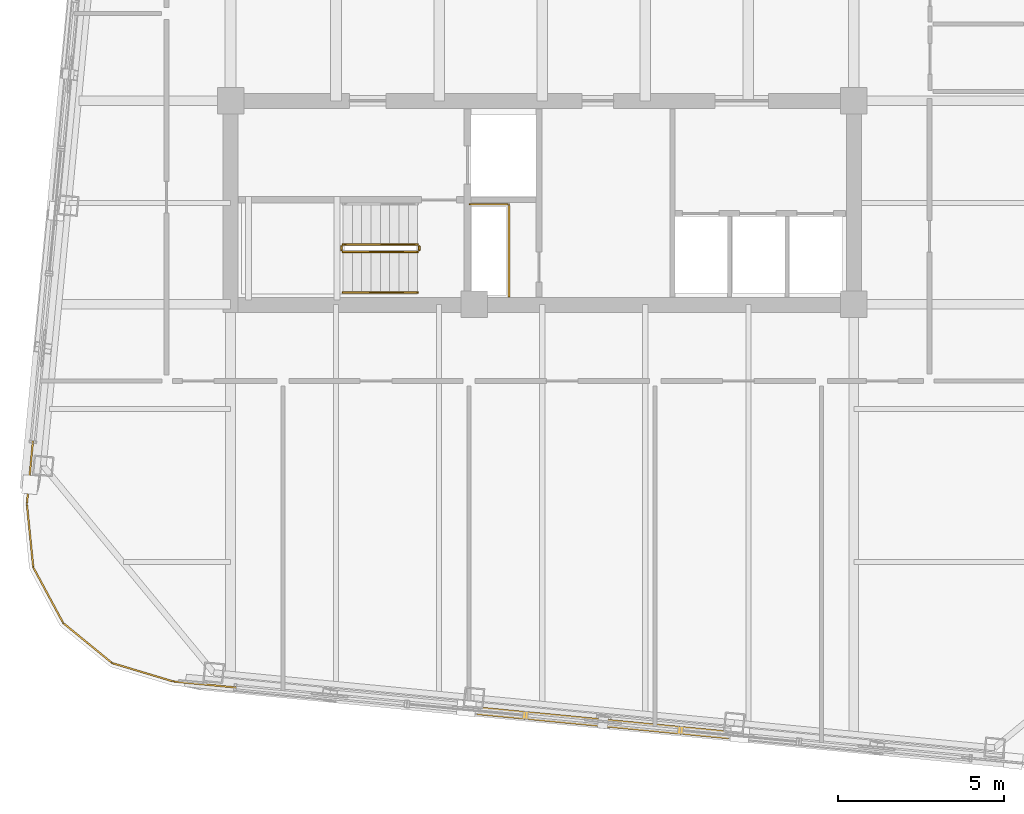
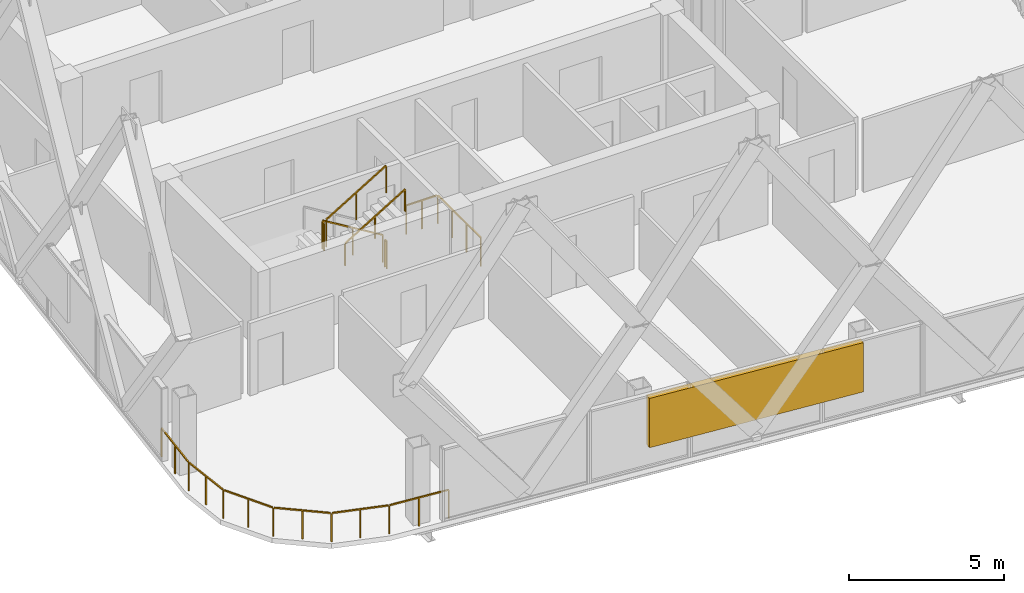
# One storey, part 22 of 25: 7 railings, 1 shading device.
"""IFC4 building model written with IfcOpenShell, lengths in metres."""

from ifc_helpers import new_model, si_unit, direction, frame, origin, origin_2d, place, context, subcontext, project, spatial, rectangle, extrude, material, type_object, element, save


model = new_model("IFC4")

# Units and contexts
model_context = context("Model", 3, precision=1e-05, world=origin(), true_north=direction((0.0, 1.0)))
body_context = subcontext(model_context, "Body", "Model", "MODEL_VIEW")
ifc_project = project(units=[si_unit("LENGTHUNIT", "METRE"), si_unit("AREAUNIT", "SQUARE_METRE"), si_unit("VOLUMEUNIT", "CUBIC_METRE"), si_unit("PLANEANGLEUNIT", "RADIAN"), si_unit("MASSUNIT", "GRAM", prefix="KILO")], contexts=[model_context])

# Site, building, storey
site_placement = place(None, origin())
site = spatial("IfcSite", under=ifc_project, at=site_placement, CompositionType="ELEMENT")
building_placement = place(site_placement, origin())
building = spatial("IfcBuilding", under=site, at=building_placement, Name="Qhalaya Broadcast Tower", CompositionType="ELEMENT")
storey_placement = place(building_placement, frame((0.0, 0.0, 255.050048828125)))
storey = spatial("IfcBuildingStorey", under=building, at=storey_placement, Name="L75", CompositionType="ELEMENT", Elevation=255.050048828125)

# Railings
ifc_material_1 = material(Name="Powder-Coated Galvanised Steel", Category="steel")
railing_type_1 = type_object("IfcRailingType", Name="Stair Wall Handrail 900", PredefinedType="HANDRAIL", material=ifc_material_1)
railing_1_placement = place(storey_placement, frame((-5.989990234375, -8.389892578125, 1.6943359375)))
element("IfcRailing", 1, at=railing_1_placement, inside=storey, type_object=railing_type_1, Name="L75 ST-2 Stair Handrail 2", PredefinedType="HANDRAIL", context=body_context, shape_type="SweptSolid", body=[
    extrude(rectangle(XDim=0.048095703125, YDim=0.048095703125, at=origin_2d()), frame((0.0, 0.0, 0.8759765625), z_axis=(0.855512035549, 0.0, 0.517782924622), x_axis=(0.0, 1.0, 0.0)), (0.0, 0.0, 1.0), 2.618408203125),
    extrude(rectangle(XDim=0.0419921875, YDim=0.0419921875, at=origin_2d()), origin(), (0.0, 0.0, 1.0), 0.849853515625),
    extrude(rectangle(XDim=0.0419921875, YDim=0.0419921875, at=origin_2d()), frame((1.1201171875, 0.0, 0.677734375)), (0.0, 0.0, 1.0), 0.849853515625),
    extrude(rectangle(XDim=0.0419921875, YDim=0.0419921875, at=origin_2d()), frame((2.239990234375, 0.0, 1.355712890625)), (0.0, 0.0, 1.0), 0.849853515625),
])
railing_type_2 = type_object("IfcRailingType", Name="Stair Well & Landing Guardrail 1100", PredefinedType="GUARDRAIL", material=ifc_material_1)
railing_2_placement = place(storey_placement, frame((-1.0, -8.52001953125, 0.0)))
element("IfcRailing", 2, at=railing_2_placement, inside=storey, type_object=railing_type_2, Name="L75 Service Riser Opening Safety Guard SRSR", PredefinedType="GUARDRAIL", context=body_context, shape_type="SweptSolid", body=[
    extrude(rectangle(XDim=0.048095703125, YDim=0.048095703125, at=origin_2d()), frame((0.0, 0.0, 1.1259765625), z_axis=(0.0, 1.0, 0.0), x_axis=(-1.0, 0.0, 0.0)), (0.0, 0.0, 1.0), 2.751220703125),
    extrude(rectangle(XDim=0.048095703125, YDim=0.048095703125, at=origin_2d()), frame((-0.02880859375, 2.780029296875, 1.1259765625), z_axis=(-1.0, 0.0, 0.0), x_axis=(0.0, -1.0, 0.0)), (0.0, 0.0, 1.0), 1.151123046875),
    extrude(rectangle(XDim=0.0419921875, YDim=0.0419921875, at=origin_2d()), origin(), (0.0, 0.0, 1.0), 1.099853515625),
    extrude(rectangle(XDim=0.0419921875, YDim=0.0419921875, at=origin_2d()), frame((0.0, 0.9267578125, 0.0)), (0.0, 0.0, 1.0), 1.099853515625),
    extrude(rectangle(XDim=0.0419921875, YDim=0.0419921875, at=origin_2d()), frame((0.0, 1.853271484375, 0.0)), (0.0, 0.0, 1.0), 1.099853515625),
    extrude(rectangle(XDim=0.0419921875, YDim=0.0419921875, at=origin_2d()), frame((0.0, 2.780029296875, 0.0)), (0.0, 0.0, 1.0), 1.099853515625),
    extrude(rectangle(XDim=0.0419921875, YDim=0.0419921875, at=origin_2d()), frame((-0.58984375, 2.780029296875, 0.0)), (0.0, 0.0, 1.0), 1.099853515625),
    extrude(rectangle(XDim=0.0419921875, YDim=0.0419921875, at=origin_2d()), frame((-1.179931640625, 2.780029296875, 0.0)), (0.0, 0.0, 1.0), 1.099853515625),
])
railing_3_placement = place(storey_placement, frame((-3.75, -6.949951171875, 0.16943359375)))
element("IfcRailing", 3, at=railing_3_placement, inside=storey, type_object=railing_type_2, Name="L75 ST-2 Stair Guard 1", PredefinedType="GUARDRAIL", context=body_context, shape_type="SweptSolid", body=[
    extrude(rectangle(XDim=0.048095703125, YDim=0.048095703125, at=origin_2d()), frame((0.0, 0.0, 1.076171875), z_axis=(-0.855553338991, 0.0, 0.51771467445), x_axis=(0.0, -1.0, 0.0)), (0.0, 0.0, 1.0), 2.6181640625),
    extrude(rectangle(XDim=0.0419921875, YDim=0.0419921875, at=origin_2d()), origin(), (0.0, 0.0, 1.0), 1.050048828125),
    extrude(rectangle(XDim=0.0419921875, YDim=0.0419921875, at=origin_2d()), frame((-1.1201171875, 0.0, 0.677734375)), (0.0, 0.0, 1.0), 1.050048828125),
    extrude(rectangle(XDim=0.0419921875, YDim=0.0419921875, at=origin_2d()), frame((-2.239990234375, 0.0, 1.35546875)), (0.0, 0.0, 1.0), 1.050048828125),
])
railing_4_placement = place(storey_placement, frame((-6.0400390625, -7.0, 1.52490234375)))
element("IfcRailing", 4, at=railing_4_placement, inside=storey, type_object=railing_type_2, Name="L75 ST-2 Stair Guard 2", PredefinedType="GUARDRAIL", context=body_context, shape_type="SweptSolid", body=[
    extrude(rectangle(XDim=0.048095703125, YDim=0.048095703125, at=origin_2d()), frame((0.0, 0.0, 1.076171875), z_axis=(0.0, -1.0, 0.0), x_axis=(1.0, 0.0, 0.0)), (0.0, 0.0, 1.0), 0.1201171875),
    extrude(rectangle(XDim=0.0419921875, YDim=0.0419921875, at=origin_2d()), origin(), (0.0, 0.0, 1.0), 1.050048828125),
    extrude(rectangle(XDim=0.0419921875, YDim=0.0419921875, at=origin_2d()), frame((0.0, -0.1201171875, 0.0)), (0.0, 0.0, 1.0), 1.050048828125),
])
railing_5_placement = place(storey_placement, frame((-5.989990234375, -7.169921875, 1.6943359375)))
element("IfcRailing", 5, at=railing_5_placement, inside=storey, type_object=railing_type_2, Name="L75 ST-2 Stair Guard 3", PredefinedType="GUARDRAIL", context=body_context, shape_type="SweptSolid", body=[
    extrude(rectangle(XDim=0.048095703125, YDim=0.048095703125, at=origin_2d()), frame((0.0, 0.0, 1.076171875), z_axis=(0.855512035549, 0.0, 0.517782924622), x_axis=(0.0, 1.0, 0.0)), (0.0, 0.0, 1.0), 2.618408203125),
    extrude(rectangle(XDim=0.0419921875, YDim=0.0419921875, at=origin_2d()), origin(), (0.0, 0.0, 1.0), 1.050048828125),
    extrude(rectangle(XDim=0.0419921875, YDim=0.0419921875, at=origin_2d()), frame((1.1201171875, 0.0, 0.677734375)), (0.0, 0.0, 1.0), 1.050048828125),
    extrude(rectangle(XDim=0.0419921875, YDim=0.0419921875, at=origin_2d()), frame((2.239990234375, 0.0, 1.355712890625)), (0.0, 0.0, 1.0), 1.050048828125),
])
railing_6_placement = place(storey_placement, frame((-3.699951171875, -7.0, 0.0)))
element("IfcRailing", 6, at=railing_6_placement, inside=storey, type_object=railing_type_2, Name="L75 ST-2 Stair Guard 4", PredefinedType="GUARDRAIL", context=body_context, shape_type="SweptSolid", body=[
    extrude(rectangle(XDim=0.048095703125, YDim=0.048095703125, at=origin_2d()), frame((0.0, 0.0, 1.076171875), z_axis=(0.0, -1.0, 0.0), x_axis=(1.0, 0.0, 0.0)), (0.0, 0.0, 1.0), 0.1201171875),
    extrude(rectangle(XDim=0.0419921875, YDim=0.0419921875, at=origin_2d()), origin(), (0.0, 0.0, 1.0), 1.050048828125),
    extrude(rectangle(XDim=0.0419921875, YDim=0.0419921875, at=origin_2d()), frame((0.0, -0.1201171875, 0.0)), (0.0, 0.0, 1.0), 1.050048828125),
])
railing_type_3 = type_object("IfcRailingType", Name="Terrace, Sky-Pool & Lookout Glass Balustrade 1150", PredefinedType="BALUSTRADE", material=ifc_material_1)
railing_7_placement = place(storey_placement, frame((-8.99365234375, -20.2958984375, 0.0)))
element("IfcRailing", 7, at=railing_7_placement, inside=storey, type_object=railing_type_3, Name="L75 Rounded Corner Perimeter Guard 02", PredefinedType="BALUSTRADE", context=body_context, shape_type="SweptSolid", body=[
    extrude(rectangle(XDim=0.048095703125, YDim=0.048095703125, at=origin_2d()), frame((0.0, 0.0, 1.1259765625), z_axis=(-0.995391273094, 0.095896889673, 0.0), x_axis=(-0.095896889673, -0.995391273094, 0.0)), (0.0, 0.0, 1.0), 2.08935546875),
    extrude(rectangle(XDim=0.048095703125, YDim=0.048095703125, at=origin_2d()), frame((-2.135986328125, 0.21142578125, 1.1259765625), z_axis=(-0.957601447485, 0.288096282124, 0.0), x_axis=(-0.288096282124, -0.957601447485, 0.0)), (0.0, 0.0, 1.0), 1.857421875),
    extrude(rectangle(XDim=0.048095703125, YDim=0.048095703125, at=origin_2d()), frame((-3.96484375, 0.773193359375, 1.1259765625), z_axis=(-0.774357190213, 0.63274871945, 0.0), x_axis=(-0.63274871945, -0.774357190213, 0.0)), (0.0, 0.0, 1.0), 1.845703125),
    extrude(rectangle(XDim=0.048095703125, YDim=0.048095703125, at=origin_2d()), frame((-5.429931640625, 1.984619140625, 1.1259765625), z_axis=(-0.473342342286, 0.880878554058, 0.0), x_axis=(-0.880878554058, -0.473342342286, 0.0)), (0.0, 0.0, 1.0), 1.845458984375),
    extrude(rectangle(XDim=0.048095703125, YDim=0.048095703125, at=origin_2d()), frame((-6.320068359375, 3.66455078125, 1.1259765625), z_axis=(-0.100071682341, 0.994980230152, 0.0), x_axis=(-0.994980230152, -0.100071682341, 0.0)), (0.0, 0.0, 1.0), 1.857421875),
    extrude(rectangle(XDim=0.048095703125, YDim=0.048095703125, at=origin_2d()), frame((-6.506103515625, 5.570068359375, 1.1259765625), z_axis=(0.095782687057, 0.995402268864, 0.0), x_axis=(-0.995402268864, 0.095782687057, 0.0)), (0.0, 0.0, 1.0), 2.08935546875),
    extrude(rectangle(XDim=0.0419921875, YDim=0.0419921875, at=origin_2d()), origin(), (0.0, 0.0, 1.0), 1.099853515625),
    extrude(rectangle(XDim=0.0419921875, YDim=0.0419921875, at=origin_2d()), frame((-1.05419921875, 0.1015625, 0.0)), (0.0, 0.0, 1.0), 1.099853515625),
    extrude(rectangle(XDim=0.0419921875, YDim=0.0419921875, at=origin_2d()), frame((-2.1083984375, 0.203125, 0.0)), (0.0, 0.0, 1.0), 1.099853515625),
    extrude(rectangle(XDim=0.0419921875, YDim=0.0419921875, at=origin_2d()), frame((-3.025390625, 0.47900390625, 0.0)), (0.0, 0.0, 1.0), 1.099853515625),
    extrude(rectangle(XDim=0.0419921875, YDim=0.0419921875, at=origin_2d()), frame((-3.9423828125, 0.7548828125, 0.0)), (0.0, 0.0, 1.0), 1.099853515625),
    extrude(rectangle(XDim=0.0419921875, YDim=0.0419921875, at=origin_2d()), frame((-4.67919921875, 1.35693359375, 0.0)), (0.0, 0.0, 1.0), 1.099853515625),
    extrude(rectangle(XDim=0.0419921875, YDim=0.0419921875, at=origin_2d()), frame((-5.416259765625, 1.959228515625, 0.0)), (0.0, 0.0, 1.0), 1.099853515625),
    extrude(rectangle(XDim=0.0419921875, YDim=0.0419921875, at=origin_2d()), frame((-5.86669921875, 2.79736328125, 0.0)), (0.0, 0.0, 1.0), 1.099853515625),
    extrude(rectangle(XDim=0.0419921875, YDim=0.0419921875, at=origin_2d()), frame((-6.317138671875, 3.6357421875, 0.0)), (0.0, 0.0, 1.0), 1.099853515625),
    extrude(rectangle(XDim=0.0419921875, YDim=0.0419921875, at=origin_2d()), frame((-6.4130859375, 4.58837890625, 0.0)), (0.0, 0.0, 1.0), 1.099853515625),
    extrude(rectangle(XDim=0.0419921875, YDim=0.0419921875, at=origin_2d()), frame((-6.5087890625, 5.541259765625, 0.0)), (0.0, 0.0, 1.0), 1.099853515625),
    extrude(rectangle(XDim=0.0419921875, YDim=0.0419921875, at=origin_2d()), frame((-6.4072265625, 6.595458984375, 0.0)), (0.0, 0.0, 1.0), 1.099853515625),
    extrude(rectangle(XDim=0.0419921875, YDim=0.0419921875, at=origin_2d()), frame((-6.305908203125, 7.649658203125, 0.0)), (0.0, 0.0, 1.0), 1.099853515625),
])

# Shading device
ifc_material_2 = material(Name="Fired Architectural Terracotta", Category="masonry")
shading_device_type = type_object("IfcShadingDeviceType", Name="Terracotta Baguette Solar Screen Assembly TBS-01", PredefinedType="USERDEFINED", material=ifc_material_2)
shading_device_placement = place(storey_placement, frame((1.826171875, -21.337646484375, 0.80078125), z_axis=(0.0, 0.0, 1.0), x_axis=(0.995396198367, -0.09584575252, 0.0)))
element("IfcShadingDevice", 8, at=shading_device_placement, inside=storey, type_object=shading_device_type, Name="L75 Fired Terracotta Baguette Screen S", ObjectType="BAGUETTE", PredefinedType="USERDEFINED", context=body_context, shape_type="SweptSolid", body=[
    extrude(rectangle(XDim=7.60009765625, YDim=0.239990234375, at=origin_2d()), origin(), (0.0, 0.0, 1.0), 1.945068359375),
])

save(model, "model.ifc")
